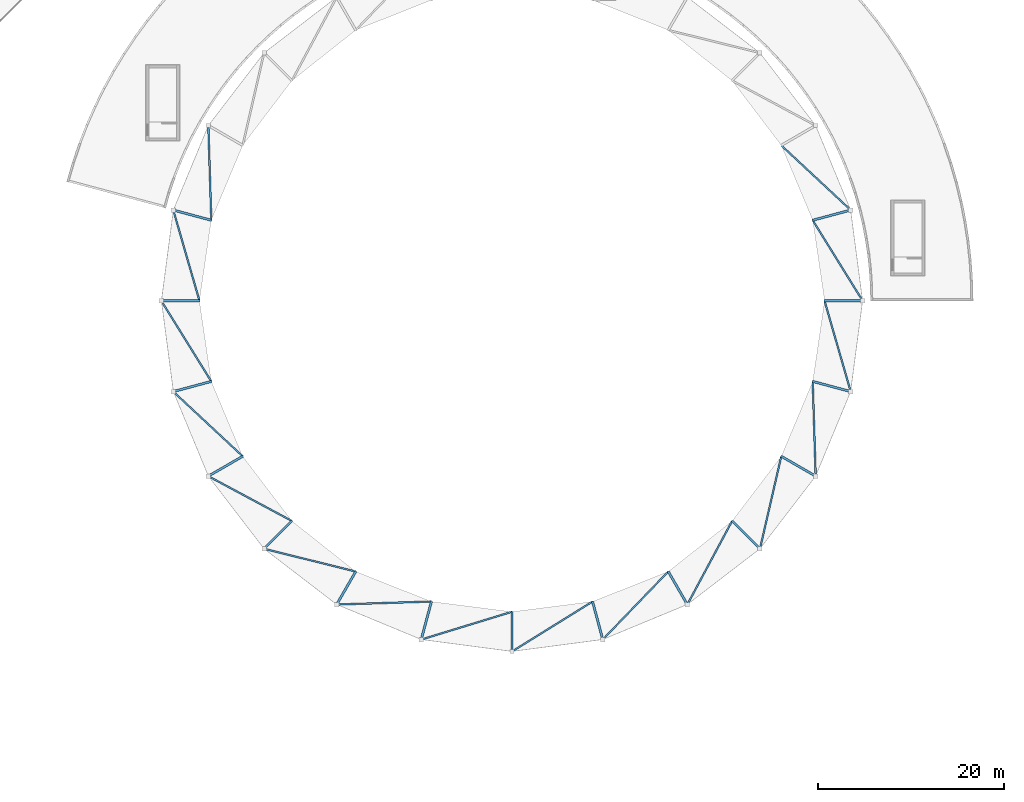
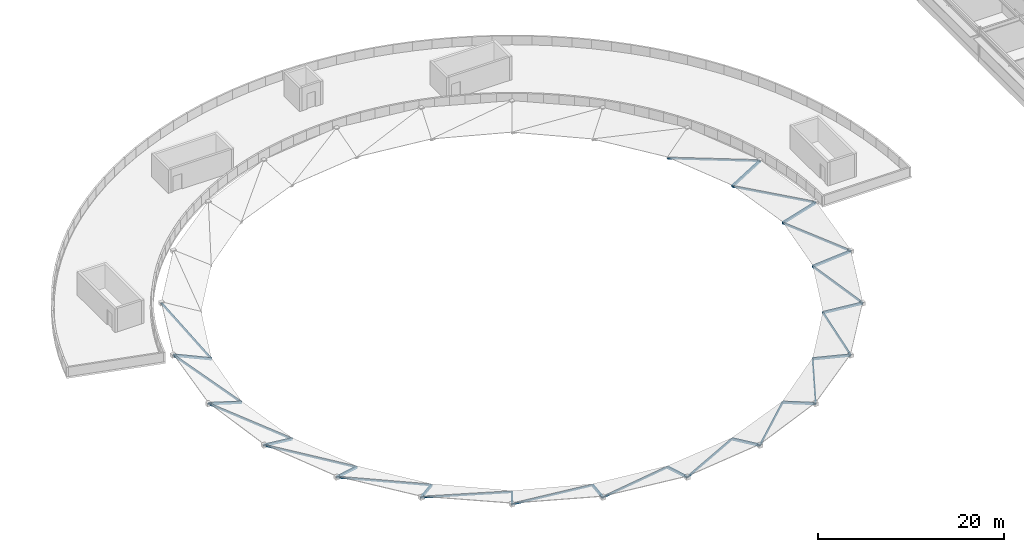
# One storey, part 4 of 50: 31 members.
"""IFC4 building model written with IfcOpenShell, lengths in metres."""

from ifc_helpers import new_model, si_unit, direction, frame, origin, origin_2d, place, context, subcontext, project, spatial, hollow_rectangle, extrude, material, material_profile, profile_set, type_object, element, save


model = new_model("IFC4")

# Units and contexts
model_context = context("Model", 3, precision=1e-05, world=origin(), true_north=direction((0.0, 1.0)))
body_context = subcontext(model_context, "Body", "Model", "MODEL_VIEW")
ifc_project = project(units=[si_unit("LENGTHUNIT", "METRE"), si_unit("AREAUNIT", "SQUARE_METRE"), si_unit("VOLUMEUNIT", "CUBIC_METRE"), si_unit("PLANEANGLEUNIT", "RADIAN"), si_unit("MASSUNIT", "GRAM", prefix="KILO")], contexts=[model_context])

# Site, building, storey
site_placement = place(None, origin())
site = spatial("IfcSite", under=ifc_project, at=site_placement, CompositionType="ELEMENT")
building_placement = place(site_placement, origin())
building = spatial("IfcBuilding", under=site, at=building_placement, Name="Almandine Court Research Institute", CompositionType="ELEMENT")
storey_placement = place(building_placement, frame((0.0, 0.0, 23.449951171875)))
storey = spatial("IfcBuildingStorey", under=building, at=storey_placement, Name="L05", CompositionType="ELEMENT", Elevation=23.449951171875)

# Members
ifc_material = material(Name="Steel ASTM A500 Grade C", Category="steel")
ifc_material_profile_1 = material_profile(ifc_material, hollow_rectangle(XDim=0.25, YDim=0.25, WallThickness=0.010009765625, at=origin_2d()), Name="HSS 250x250x10")
ifc_profile_set_1 = profile_set([ifc_material_profile_1], Name="Steel ASTM A500 Grade C")
member_type_1 = type_object("IfcMemberType", Name="Mem-GS-AR1", PredefinedType="RAFTER", material=ifc_profile_set_1)
member_1_placement = place(storey_placement, frame((124.64990234375, 56.0, 0.699951171875), z_axis=(-0.955946524092, 0.0, -0.293540871221), x_axis=(0.0, -1.0, 0.0)))
element("IfcMember", 1, at=member_1_placement, inside=storey, type_object=member_type_1, Name="Atrium Conical Gridshell Radial Rib R0-S00", PredefinedType="RAFTER", context=body_context, shape_type="SweptSolid", body=[
    extrude(hollow_rectangle(XDim=0.25, YDim=0.25, WallThickness=0.010009765625, at=origin_2d()), origin(), (0.0, 0.0, 1.0), 4.28173828125),
])
for number, where, z_axis, x_axis, name in (
    (2, (123.366943359375, 65.7451171875, 0.699951171875), (-0.925824128747, -0.248178453651, -0.285056376483), (0.25892088645, -0.965898532228, 0.0), "Atrium Conical Gridshell Radial Rib R0-S01"),
    (3, (50.633056640625, 65.7451171875, 0.699951171875), (0.925824128747, -0.248178453651, -0.285056376483), (0.25892088645, 0.965898532228, 0.0), "Atrium Conical Gridshell Radial Rib R0-S11"),
):
    element("IfcMember", number, at=place(storey_placement, frame(where, z_axis=z_axis, x_axis=x_axis)), inside=storey, type_object=member_type_1, Name=name, PredefinedType="RAFTER", context=body_context, shape_type="SweptSolid", body=[
        extrude(hollow_rectangle(XDim=0.25, YDim=0.25, WallThickness=0.010009765625, at=origin_2d()), origin(), (0.0, 0.0, 1.0), 4.4091796875),
    ])
member_2_placement = place(storey_placement, frame((49.35009765625, 56.0, 0.699951171875), z_axis=(0.955946524092, 0.0, -0.293540871221), x_axis=(0.0, 1.0, 0.0)))
element("IfcMember", 4, at=member_2_placement, inside=storey, type_object=member_type_1, Name="Atrium Conical Gridshell Radial Rib R0-S12", PredefinedType="RAFTER", context=body_context, shape_type="SweptSolid", body=[
    extrude(hollow_rectangle(XDim=0.25, YDim=0.25, WallThickness=0.010009765625, at=origin_2d()), origin(), (0.0, 0.0, 1.0), 4.28173828125),
])
member_3_placement = place(storey_placement, frame((50.633056640625, 46.2548828125, 0.699951171875), z_axis=(0.925824128747, 0.248178453651, -0.285056376483), x_axis=(-0.25892088645, 0.965898532228, 0.0)))
element("IfcMember", 5, at=member_3_placement, inside=storey, type_object=member_type_1, Name="Atrium Conical Gridshell Radial Rib R0-S13", PredefinedType="RAFTER", context=body_context, shape_type="SweptSolid", body=[
    extrude(hollow_rectangle(XDim=0.25, YDim=0.25, WallThickness=0.010009765625, at=origin_2d()), origin(), (0.0, 0.0, 1.0), 4.4091796875),
])
member_4_placement = place(storey_placement, frame((54.39404296875, 37.175048828125, 0.699951171875), z_axis=(0.830674467519, 0.479682936068, -0.282637948367), x_axis=(-0.500072563448, 0.865983505205, 0.0)))
element("IfcMember", 6, at=member_4_placement, inside=storey, type_object=member_type_1, Name="Atrium Conical Gridshell Radial Rib R0-S14", PredefinedType="RAFTER", context=body_context, shape_type="SweptSolid", body=[
    extrude(hollow_rectangle(XDim=0.25, YDim=0.25, WallThickness=0.010009765625, at=origin_2d()), origin(), (0.0, 0.0, 1.0), 4.44677734375),
])
member_5_placement = place(storey_placement, frame((60.376953125, 29.376953125, 0.699951171875), z_axis=(0.677781888039, 0.677781888039, -0.284997235941), x_axis=(-0.707106781187, 0.707106781187, 0.0)))
element("IfcMember", 7, at=member_5_placement, inside=storey, type_object=member_type_1, Name="Atrium Conical Gridshell Radial Rib R0-S15", PredefinedType="RAFTER", context=body_context, shape_type="SweptSolid", body=[
    extrude(hollow_rectangle(XDim=0.25, YDim=0.25, WallThickness=0.010009765625, at=origin_2d()), origin(), (0.0, 0.0, 1.0), 4.409912109375),
])
member_6_placement = place(storey_placement, frame((68.175048828125, 23.39404296875, 0.699951171875), z_axis=(0.477838809369, 0.827949822439, -0.293545846137), x_axis=(-0.86610613113, 0.49986015006, 0.0)))
element("IfcMember", 8, at=member_6_placement, inside=storey, type_object=member_type_1, Name="Atrium Conical Gridshell Radial Rib R0-S16", PredefinedType="RAFTER", context=body_context, shape_type="SweptSolid", body=[
    extrude(hollow_rectangle(XDim=0.25, YDim=0.25, WallThickness=0.010009765625, at=origin_2d()), origin(), (0.0, 0.0, 1.0), 4.281494140625),
])
member_7_placement = place(storey_placement, frame((77.2548828125, 19.633056640625, 0.699951171875), z_axis=(0.248178453651, 0.925824128747, -0.285056376483), x_axis=(-0.965898532228, 0.25892088645, 0.0)))
element("IfcMember", 9, at=member_7_placement, inside=storey, type_object=member_type_1, Name="Atrium Conical Gridshell Radial Rib R0-S17", PredefinedType="RAFTER", context=body_context, shape_type="SweptSolid", body=[
    extrude(hollow_rectangle(XDim=0.25, YDim=0.25, WallThickness=0.010009765625, at=origin_2d()), origin(), (0.0, 0.0, 1.0), 4.4091796875),
])
member_8_placement = place(storey_placement, frame((87.0, 18.35009765625, 0.699951171875), z_axis=(0.0, 0.959215851887, -0.282674635383), x_axis=(-1.0, 0.0, 0.0)))
element("IfcMember", 10, at=member_8_placement, inside=storey, type_object=member_type_1, Name="Atrium Conical Gridshell Radial Rib R0-S18", PredefinedType="RAFTER", context=body_context, shape_type="SweptSolid", body=[
    extrude(hollow_rectangle(XDim=0.25, YDim=0.25, WallThickness=0.010009765625, at=origin_2d()), origin(), (0.0, 0.0, 1.0), 4.4462890625),
])
member_9_placement = place(storey_placement, frame((96.7451171875, 19.633056640625, 0.699951171875), z_axis=(-0.248178453651, 0.925824128747, -0.285056376483), x_axis=(-0.965898532228, -0.25892088645, 0.0)))
element("IfcMember", 11, at=member_9_placement, inside=storey, type_object=member_type_1, Name="Atrium Conical Gridshell Radial Rib R0-S19", PredefinedType="RAFTER", context=body_context, shape_type="SweptSolid", body=[
    extrude(hollow_rectangle(XDim=0.25, YDim=0.25, WallThickness=0.010009765625, at=origin_2d()), origin(), (0.0, 0.0, 1.0), 4.4091796875),
])
member_10_placement = place(storey_placement, frame((105.824951171875, 23.39404296875, 0.699951171875), z_axis=(-0.477838809369, 0.827949822439, -0.293545846137), x_axis=(-0.86610613113, -0.49986015006, 0.0)))
element("IfcMember", 12, at=member_10_placement, inside=storey, type_object=member_type_1, Name="Atrium Conical Gridshell Radial Rib R0-S20", PredefinedType="RAFTER", context=body_context, shape_type="SweptSolid", body=[
    extrude(hollow_rectangle(XDim=0.25, YDim=0.25, WallThickness=0.010009765625, at=origin_2d()), origin(), (0.0, 0.0, 1.0), 4.281494140625),
])
member_11_placement = place(storey_placement, frame((113.623046875, 29.376953125, 0.699951171875), z_axis=(-0.677781888039, 0.677781888039, -0.284997235941), x_axis=(-0.707106781187, -0.707106781187, 0.0)))
element("IfcMember", 13, at=member_11_placement, inside=storey, type_object=member_type_1, Name="Atrium Conical Gridshell Radial Rib R0-S21", PredefinedType="RAFTER", context=body_context, shape_type="SweptSolid", body=[
    extrude(hollow_rectangle(XDim=0.25, YDim=0.25, WallThickness=0.010009765625, at=origin_2d()), origin(), (0.0, 0.0, 1.0), 4.409912109375),
])
member_12_placement = place(storey_placement, frame((119.60595703125, 37.175048828125, 0.699951171875), z_axis=(-0.830674467519, 0.479682936068, -0.282637948367), x_axis=(-0.500072563448, -0.865983505205, 0.0)))
element("IfcMember", 14, at=member_12_placement, inside=storey, type_object=member_type_1, Name="Atrium Conical Gridshell Radial Rib R0-S22", PredefinedType="RAFTER", context=body_context, shape_type="SweptSolid", body=[
    extrude(hollow_rectangle(XDim=0.25, YDim=0.25, WallThickness=0.010009765625, at=origin_2d()), origin(), (0.0, 0.0, 1.0), 4.44677734375),
])
member_13_placement = place(storey_placement, frame((123.366943359375, 46.2548828125, 0.699951171875), z_axis=(-0.925824128747, 0.248178453651, -0.285056376483), x_axis=(-0.25892088645, -0.965898532228, 0.0)))
element("IfcMember", 15, at=member_13_placement, inside=storey, type_object=member_type_1, Name="Atrium Conical Gridshell Radial Rib R0-S23", PredefinedType="RAFTER", context=body_context, shape_type="SweptSolid", body=[
    extrude(hollow_rectangle(XDim=0.25, YDim=0.25, WallThickness=0.010009765625, at=origin_2d()), origin(), (0.0, 0.0, 1.0), 4.4091796875),
])
ifc_material_profile_2 = material_profile(ifc_material, hollow_rectangle(XDim=0.179931640625, YDim=0.179931640625, WallThickness=0.008056640625, at=origin_2d()), Name="HSS 180x180x8")
ifc_profile_set_2 = profile_set([ifc_material_profile_2], Name="Steel ASTM A500 Grade C")
member_type_2 = type_object("IfcMemberType", Name="Mem-GS-BR1", PredefinedType="BRACE", material=ifc_profile_set_2)
member_14_placement = place(storey_placement, frame((124.64990234375, 56.0, 0.699951171875), z_axis=(-0.523070359607, 0.843434590321, -0.122537711547), x_axis=(-0.849839098525, -0.527042224702, 0.0)))
element("IfcMember", 16, at=member_14_placement, inside=storey, type_object=member_type_2, Name="Atrium Conical Gridshell Diagonal Brace R0-S00", PredefinedType="BRACE", context=body_context, shape_type="SweptSolid", body=[
    extrude(hollow_rectangle(XDim=0.179931640625, YDim=0.179931640625, WallThickness=0.008056640625, at=origin_2d()), origin(), (0.0, 0.0, 1.0), 10.2568359375),
])
member_15_placement = place(storey_placement, frame((123.366943359375, 65.7451171875, 0.699951171875), z_axis=(-0.726094508271, 0.676610222314, -0.122414754497), x_axis=(-0.681737548974, -0.731596824978, 0.0)))
element("IfcMember", 17, at=member_15_placement, inside=storey, type_object=member_type_2, Name="Atrium Conical Gridshell Diagonal Brace R0-S01", PredefinedType="BRACE", context=body_context, shape_type="SweptSolid", body=[
    extrude(hollow_rectangle(XDim=0.179931640625, YDim=0.179931640625, WallThickness=0.008056640625, at=origin_2d()), origin(), (0.0, 0.0, 1.0), 10.26708984375),
])
member_16_placement = place(storey_placement, frame((54.39404296875, 74.824951171875, 0.699951171875), z_axis=(0.031301805264, -0.99196968119, -0.122541211786), x_axis=(0.999502506059, 0.031539505086, 0.0)))
element("IfcMember", 18, at=member_16_placement, inside=storey, type_object=member_type_2, Name="Atrium Conical Gridshell Diagonal Brace R0-S10", PredefinedType="BRACE", context=body_context, shape_type="SweptSolid", body=[
    extrude(hollow_rectangle(XDim=0.179931640625, YDim=0.179931640625, WallThickness=0.008056640625, at=origin_2d()), origin(), (0.0, 0.0, 1.0), 10.25634765625),
])
member_17_placement = place(storey_placement, frame((50.633056640625, 65.7451171875, 0.699951171875), z_axis=(0.274963424041, -0.953556909993, -0.122981034489), x_axis=(0.960850707442, 0.277066630991, 0.0)))
element("IfcMember", 19, at=member_17_placement, inside=storey, type_object=member_type_2, Name="Atrium Conical Gridshell Diagonal Brace R0-S11", PredefinedType="BRACE", context=body_context, shape_type="SweptSolid", body=[
    extrude(hollow_rectangle(XDim=0.179931640625, YDim=0.179931640625, WallThickness=0.008056640625, at=origin_2d()), origin(), (0.0, 0.0, 1.0), 10.2197265625),
])
member_18_placement = place(storey_placement, frame((49.35009765625, 56.0, 0.699951171875), z_axis=(0.523070359607, -0.843434590321, -0.122537711547), x_axis=(0.849839098525, 0.527042224702, 0.0)))
element("IfcMember", 20, at=member_18_placement, inside=storey, type_object=member_type_2, Name="Atrium Conical Gridshell Diagonal Brace R0-S12", PredefinedType="BRACE", context=body_context, shape_type="SweptSolid", body=[
    extrude(hollow_rectangle(XDim=0.179931640625, YDim=0.179931640625, WallThickness=0.008056640625, at=origin_2d()), origin(), (0.0, 0.0, 1.0), 10.2568359375),
])
member_19_placement = place(storey_placement, frame((50.633056640625, 46.2548828125, 0.699951171875), z_axis=(0.726094508271, -0.676610222314, -0.122414754497), x_axis=(0.681737548974, 0.731596824978, 0.0)))
element("IfcMember", 21, at=member_19_placement, inside=storey, type_object=member_type_2, Name="Atrium Conical Gridshell Diagonal Brace R0-S13", PredefinedType="BRACE", context=body_context, shape_type="SweptSolid", body=[
    extrude(hollow_rectangle(XDim=0.179931640625, YDim=0.179931640625, WallThickness=0.008056640625, at=origin_2d()), origin(), (0.0, 0.0, 1.0), 10.26708984375),
])
member_20_placement = place(storey_placement, frame((54.39404296875, 37.175048828125, 0.699951171875), z_axis=(0.874727764142, -0.468866839861, -0.122536627658), x_axis=(0.472427054047, 0.881369774047, 0.0)))
element("IfcMember", 22, at=member_20_placement, inside=storey, type_object=member_type_2, Name="Atrium Conical Gridshell Diagonal Brace R0-S14", PredefinedType="BRACE", context=body_context, shape_type="SweptSolid", body=[
    extrude(hollow_rectangle(XDim=0.179931640625, YDim=0.179931640625, WallThickness=0.008056640625, at=origin_2d()), origin(), (0.0, 0.0, 1.0), 10.2568359375),
])
member_21_placement = place(storey_placement, frame((60.376953125, 29.376953125, 0.699951171875), z_axis=(0.96330453844, -0.238574418315, -0.122990296964), x_axis=(0.240399562266, 0.97067401864, 0.0)))
element("IfcMember", 23, at=member_21_placement, inside=storey, type_object=member_type_2, Name="Atrium Conical Gridshell Diagonal Brace R0-S15", PredefinedType="BRACE", context=body_context, shape_type="SweptSolid", body=[
    extrude(hollow_rectangle(XDim=0.179931640625, YDim=0.179931640625, WallThickness=0.008056640625, at=origin_2d()), origin(), (0.0, 0.0, 1.0), 10.218994140625),
])
member_22_placement = place(storey_placement, frame((68.175048828125, 23.39404296875, 0.699951171875), z_axis=(0.99196968119, 0.031301805264, -0.122541211786), x_axis=(-0.031539505086, 0.999502506059, 0.0)))
element("IfcMember", 24, at=member_22_placement, inside=storey, type_object=member_type_2, Name="Atrium Conical Gridshell Diagonal Brace R0-S16", PredefinedType="BRACE", context=body_context, shape_type="SweptSolid", body=[
    extrude(hollow_rectangle(XDim=0.179931640625, YDim=0.179931640625, WallThickness=0.008056640625, at=origin_2d()), origin(), (0.0, 0.0, 1.0), 10.25634765625),
])
member_23_placement = place(storey_placement, frame((77.2548828125, 19.633056640625, 0.699951171875), z_axis=(0.949044741726, 0.290400653258, -0.122399096362), x_axis=(-0.29260072907, 0.956234706203, 0.0)))
element("IfcMember", 25, at=member_23_placement, inside=storey, type_object=member_type_2, Name="Atrium Conical Gridshell Diagonal Brace R0-S17", PredefinedType="BRACE", context=body_context, shape_type="SweptSolid", body=[
    extrude(hollow_rectangle(XDim=0.179931640625, YDim=0.179931640625, WallThickness=0.008056640625, at=origin_2d()), origin(), (0.0, 0.0, 1.0), 10.268310546875),
])
member_24_placement = place(storey_placement, frame((87.0, 18.35009765625, 0.699951171875), z_axis=(0.843434590321, 0.523070359607, -0.122537711547), x_axis=(-0.527042224702, 0.849839098525, 0.0)))
element("IfcMember", 26, at=member_24_placement, inside=storey, type_object=member_type_2, Name="Atrium Conical Gridshell Diagonal Brace R0-S18", PredefinedType="BRACE", context=body_context, shape_type="SweptSolid", body=[
    extrude(hollow_rectangle(XDim=0.179931640625, YDim=0.179931640625, WallThickness=0.008056640625, at=origin_2d()), origin(), (0.0, 0.0, 1.0), 10.2568359375),
])
member_25_placement = place(storey_placement, frame((96.7451171875, 19.633056640625, 0.699951171875), z_axis=(0.688305454968, 0.714919327338, -0.122987625635), x_axis=(-0.720388368665, 0.693570903579, 0.0)))
element("IfcMember", 27, at=member_25_placement, inside=storey, type_object=member_type_2, Name="Atrium Conical Gridshell Diagonal Brace R0-S19", PredefinedType="BRACE", context=body_context, shape_type="SweptSolid", body=[
    extrude(hollow_rectangle(XDim=0.179931640625, YDim=0.179931640625, WallThickness=0.008056640625, at=origin_2d()), origin(), (0.0, 0.0, 1.0), 10.21923828125),
])
member_26_placement = place(storey_placement, frame((105.824951171875, 23.39404296875, 0.699951171875), z_axis=(0.468866839861, 0.874727764142, -0.122536627658), x_axis=(-0.881369774047, 0.472427054047, 0.0)))
element("IfcMember", 28, at=member_26_placement, inside=storey, type_object=member_type_2, Name="Atrium Conical Gridshell Diagonal Brace R0-S20", PredefinedType="BRACE", context=body_context, shape_type="SweptSolid", body=[
    extrude(hollow_rectangle(XDim=0.179931640625, YDim=0.179931640625, WallThickness=0.008056640625, at=origin_2d()), origin(), (0.0, 0.0, 1.0), 10.2568359375),
])
member_27_placement = place(storey_placement, frame((113.623046875, 29.376953125, 0.699951171875), z_axis=(0.222915394417, 0.967123764303, -0.122394245996), x_axis=(-0.974450108185, 0.224604066433, 0.0)))
element("IfcMember", 29, at=member_27_placement, inside=storey, type_object=member_type_2, Name="Atrium Conical Gridshell Diagonal Brace R0-S21", PredefinedType="BRACE", context=body_context, shape_type="SweptSolid", body=[
    extrude(hollow_rectangle(XDim=0.179931640625, YDim=0.179931640625, WallThickness=0.008056640625, at=origin_2d()), origin(), (0.0, 0.0, 1.0), 10.268798828125),
])
member_28_placement = place(storey_placement, frame((119.60595703125, 37.175048828125, 0.699951171875), z_axis=(-0.031301805264, 0.99196968119, -0.122541211786), x_axis=(-0.999502506059, -0.031539505086, 0.0)))
element("IfcMember", 30, at=member_28_placement, inside=storey, type_object=member_type_2, Name="Atrium Conical Gridshell Diagonal Brace R0-S22", PredefinedType="BRACE", context=body_context, shape_type="SweptSolid", body=[
    extrude(hollow_rectangle(XDim=0.179931640625, YDim=0.179931640625, WallThickness=0.008056640625, at=origin_2d()), origin(), (0.0, 0.0, 1.0), 10.25634765625),
])
member_29_placement = place(storey_placement, frame((123.366943359375, 46.2548828125, 0.699951171875), z_axis=(-0.274963424041, 0.953556909993, -0.122981034489), x_axis=(-0.960850707442, -0.277066630991, 0.0)))
element("IfcMember", 31, at=member_29_placement, inside=storey, type_object=member_type_2, Name="Atrium Conical Gridshell Diagonal Brace R0-S23", PredefinedType="BRACE", context=body_context, shape_type="SweptSolid", body=[
    extrude(hollow_rectangle(XDim=0.179931640625, YDim=0.179931640625, WallThickness=0.008056640625, at=origin_2d()), origin(), (0.0, 0.0, 1.0), 10.2197265625),
])

save(model, "model.ifc")
